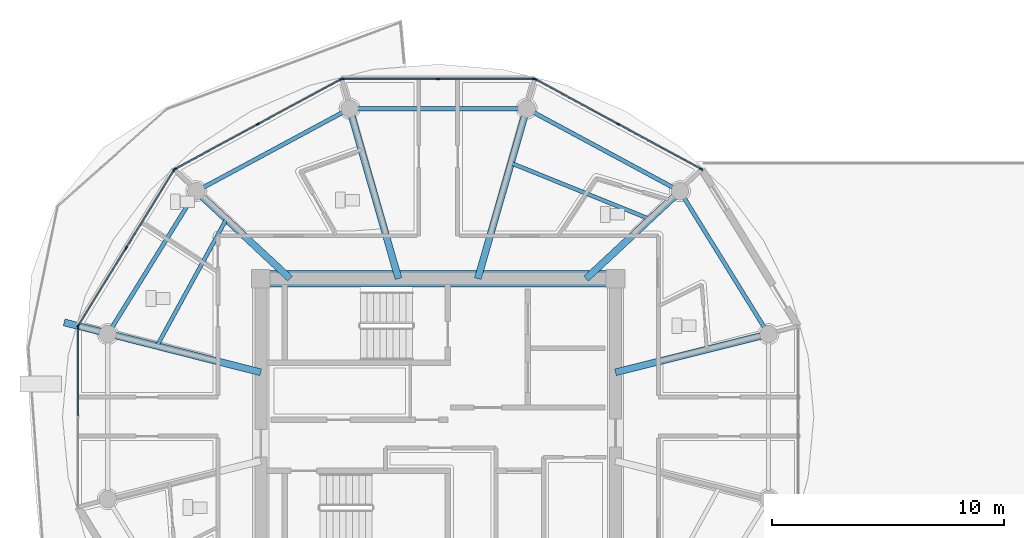
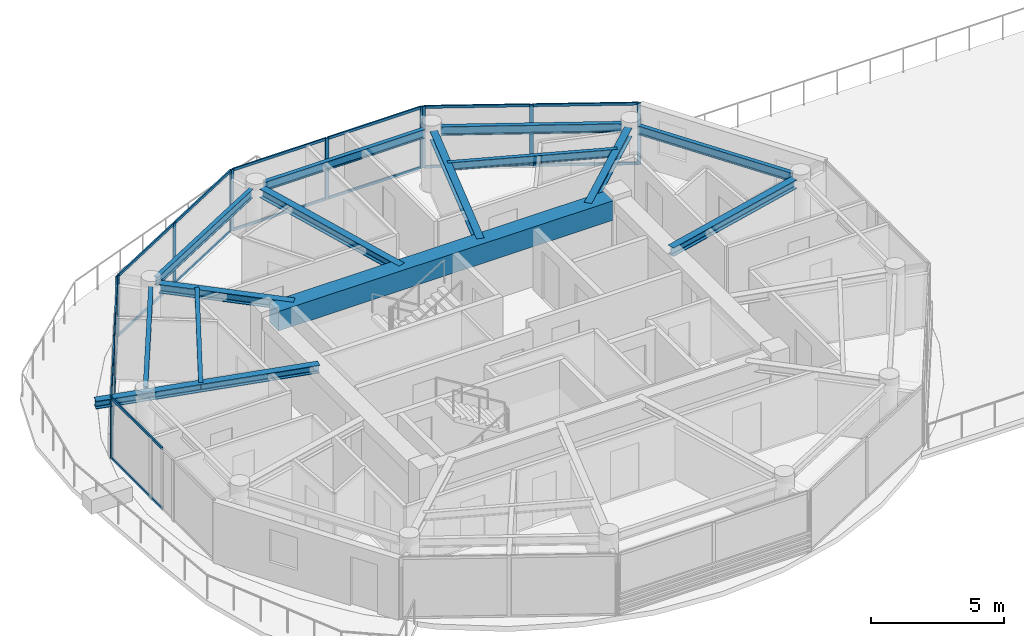
# One storey, part 4 of 30: 31 members, 14 beams, 5 elements without a shape of their own.
"""IFC4 building model written with IfcOpenShell, lengths in metres."""

from ifc_helpers import new_model, si_unit, direction, frame, origin, origin_2d, place, context, subcontext, project, spatial, rectangle, i_section, extrude, source, transform, mapped, material, layer, layer_set, material_profile, profile_set, type_object, type_shapes, element, aggregate, save


model = new_model("IFC4")

# Units and contexts
model_context = context("Model", 3, precision=1e-05, world=origin(), true_north=direction((0.0, 1.0)))
body_context = subcontext(model_context, "Body", "Model", "MODEL_VIEW")
ifc_project = project(units=[si_unit("LENGTHUNIT", "METRE"), si_unit("AREAUNIT", "SQUARE_METRE"), si_unit("VOLUMEUNIT", "CUBIC_METRE"), si_unit("PLANEANGLEUNIT", "RADIAN"), si_unit("MASSUNIT", "GRAM", prefix="KILO")], contexts=[model_context])

# Site, building, storey
site_placement = place(None, origin())
site = spatial("IfcSite", under=ifc_project, at=site_placement, CompositionType="ELEMENT")
building_placement = place(site_placement, origin())
building = spatial("IfcBuilding", under=site, at=building_placement, Name="Norrkilde Senior Care Towers", CompositionType="ELEMENT")
storey_placement = place(building_placement, frame((0.0, 0.0, 232.199951171875)))
storey = spatial("IfcBuildingStorey", under=building, at=storey_placement, Name="L72", CompositionType="ELEMENT", Elevation=232.199951171875)

# Beams
ifc_material_1 = material(Name="Concrete C60/75", Category="concrete")
ifc_material_profile_1 = material_profile(ifc_material_1, rectangle(XDim=0.699951171875, YDim=0.89990234375, at=origin_2d()), Name="RC BM 700x900")
ifc_profile_set_1 = profile_set([ifc_material_profile_1], Name="Concrete C60/75")
beam_type_1 = type_object("IfcBeamType", Name="Core Coupling Girder 700x900", PredefinedType="USERDEFINED", material=ifc_profile_set_1)
shared_shape_1 = source(origin(), body_context, "Body", "SweptSolid", [
    extrude(rectangle(XDim=0.699951171875, YDim=0.89990234375, at=origin_2d()), origin(), (0.0, 0.0, 1.0), 14.5400390625),
])
type_shapes(beam_type_1, [shared_shape_1])
beam_1_placement = place(storey_placement, frame((-35.27001953125, 5.949951171875, 2.360107421875), z_axis=(1.0, 0.0, 0.0), x_axis=(0.0, 1.0, 0.0)))
element("IfcBeam", 1, at=beam_1_placement, inside=storey, type_object=beam_type_1, Name="L72 Core W N Coupling Girder", ObjectType="GIRDER", PredefinedType="USERDEFINED", context=body_context, shape_type="MappedRepresentation", body=[
    mapped(shared_shape_1, transform((0.0, 0.0, 0.0), x_axis=(1.0, 0.0, 0.0), y_axis=(0.0, 1.0, 0.0), z_axis=(0.0, 0.0, 1.0), scale=1.0)),
])
ifc_material_2 = material(Name="Steel S355", Category="steel")
ifc_material_profile_2 = material_profile(ifc_material_2, i_section(OverallWidth=0.179931640625, OverallDepth=0.39990234375, WebThickness=0.008544921875, FlangeThickness=0.013427734375, FilletRadius=0.02099609375, at=origin_2d()), Name="IPE 400")
ifc_profile_set_2 = profile_set([ifc_material_profile_2], Name="Steel S355")
beam_type_2 = type_object("IfcBeamType", Name="Perimeter Ring Spandrel Z4 IPE400", PredefinedType="SPANDREL", material=ifc_profile_set_2)
shared_shape_2 = source(origin(), body_context, "Body", "SweptSolid", [
    extrude(i_section(OverallWidth=0.179931640625, OverallDepth=0.39990234375, WebThickness=0.008544921875, FlangeThickness=0.013427734375, FilletRadius=0.02099609375, at=origin_2d()), origin(), (0.0, 0.0, 1.0), 6.58056640625),
])
for number, where, z_axis, x_axis, name in (
    (2, (-13.928955078125, 3.843505859375, 2.610107421875), (-0.526529583789, 0.850156807533, 0.0), (-0.850156807533, -0.526529583789, 0.0), "L72 Drum W Perimeter Spandrel 01"),
    (3, (-38.606201171875, 9.43798828125, 2.610107421875), (-0.526529583789, -0.850156807533, 0.0), (0.850156807533, -0.526529583789, 0.0), "L72 Drum W Perimeter Spandrel 05"),
):
    element("IfcBeam", number, at=place(storey_placement, frame(where, z_axis=z_axis, x_axis=x_axis)), inside=storey, type_object=beam_type_2, Name=name, PredefinedType="SPANDREL", context=body_context, shape_type="MappedRepresentation", body=[
        mapped(shared_shape_2, transform((0.0, 0.0, 0.0), x_axis=(1.0, 0.0, 0.0), y_axis=(0.0, 1.0, 0.0), z_axis=(0.0, 0.0, 1.0), scale=1.0)),
    ])
ifc_material_profile_3 = material_profile(ifc_material_2, i_section(OverallWidth=0.300048828125, OverallDepth=0.39990234375, WebThickness=0.013427734375, FlangeThickness=0.02392578125, FilletRadius=0.027099609375, at=origin_2d()), Name="HEB 400")
ifc_profile_set_3 = profile_set([ifc_material_profile_3], Name="Steel S355")
beam_type_3 = type_object("IfcBeamType", Name="Radial Floor Beam Z4 HEB400", PredefinedType="BEAM", material=ifc_profile_set_3)
shared_shape_3 = source(origin(), body_context, "Body", "SweptSolid", [
    extrude(i_section(OverallWidth=0.300048828125, OverallDepth=0.39990234375, WebThickness=0.013427734375, FlangeThickness=0.02392578125, FilletRadius=0.027099609375, at=origin_2d()), origin(), (0.0, 0.0, 1.0), 6.465087890625),
])
beam_2_placement = place(storey_placement, frame((-20.35009765625, 1.910888671875, 2.610107421875), z_axis=(0.970195788563, 0.242322371758, 0.0), x_axis=(-0.242322371758, 0.970195788563, 0.0)))
element("IfcBeam", 4, at=beam_2_placement, inside=storey, type_object=beam_type_3, Name="L72 Drum W Radial Floor Beam 01", PredefinedType="BEAM", context=body_context, shape_type="MappedRepresentation", body=[
    mapped(shared_shape_3, transform((0.0, 0.0, 0.0), x_axis=(1.0, 0.0, 0.0), y_axis=(0.0, 1.0, 0.0), z_axis=(0.0, 0.0, 1.0), scale=1.0)),
])
shared_shape_4 = source(origin(), body_context, "Body", "SweptSolid", [
    extrude(i_section(OverallWidth=0.179931640625, OverallDepth=0.39990234375, WebThickness=0.008544921875, FlangeThickness=0.013427734375, FilletRadius=0.02099609375, at=origin_2d()), origin(), (0.0, 0.0, 1.0), 6.839111328125),
])
for number, where, z_axis, x_axis, name in (
    (5, (-17.865234375, 9.881591796875, 2.610107421875), (-0.880563930732, 0.473927382511, 0.0), (-0.473927382511, -0.880563930732, 0.0), "L72 Drum W Perimeter Spandrel 02"),
    (6, (-32.112548828125, 13.122802734375, 2.610107421875), (-0.880563930732, -0.473927382511, 0.0), (0.473927382511, -0.880563930732, 0.0), "L72 Drum W Perimeter Spandrel 04"),
):
    element("IfcBeam", number, at=place(storey_placement, frame(where, z_axis=z_axis, x_axis=x_axis)), inside=storey, type_object=beam_type_2, Name=name, PredefinedType="SPANDREL", context=body_context, shape_type="MappedRepresentation", body=[
        mapped(shared_shape_4, transform((0.0, 0.0, 0.0), x_axis=(1.0, 0.0, 0.0), y_axis=(0.0, 1.0, 0.0), z_axis=(0.0, 0.0, 1.0), scale=1.0)),
    ])
shared_shape_5 = source(origin(), body_context, "Body", "SweptSolid", [
    extrude(i_section(OverallWidth=0.300048828125, OverallDepth=0.39990234375, WebThickness=0.013427734375, FlangeThickness=0.02392578125, FilletRadius=0.027099609375, at=origin_2d()), origin(), (0.0, 0.0, 1.0), 5.197998046875),
])
for number, where, z_axis, x_axis, name in (
    (7, (-21.6171875, 5.949951171875, 2.610107421875), (0.731448749334, 0.681896419625, 0.0), (-0.681896419625, 0.731448749334, 0.0), "L72 Drum W Radial Floor Beam 02"),
    (8, (-34.3828125, 5.949951171875, 2.610107421875), (-0.731448749334, 0.681896419625, 0.0), (-0.681896419625, -0.731448749334, 0.0), "L72 Drum W Radial Floor Beam 05"),
):
    element("IfcBeam", number, at=place(storey_placement, frame(where, z_axis=z_axis, x_axis=x_axis)), inside=storey, type_object=beam_type_3, Name=name, PredefinedType="BEAM", context=body_context, shape_type="MappedRepresentation", body=[
        mapped(shared_shape_5, transform((0.0, 0.0, 0.0), x_axis=(1.0, 0.0, 0.0), y_axis=(0.0, 1.0, 0.0), z_axis=(0.0, 0.0, 1.0), scale=1.0)),
    ])
shared_shape_6 = source(origin(), body_context, "Body", "SweptSolid", [
    extrude(i_section(OverallWidth=0.179931640625, OverallDepth=0.39990234375, WebThickness=0.008544921875, FlangeThickness=0.013427734375, FilletRadius=0.02099609375, at=origin_2d()), origin(), (0.0, 0.0, 1.0), 6.96533203125),
])
type_shapes(beam_type_2, [shared_shape_2, shared_shape_4, shared_shape_6])
beam_3_placement = place(storey_placement, frame((-24.517333984375, 13.281494140625, 2.610107421875), z_axis=(-1.0, 0.0, 0.0), x_axis=(0.0, -1.0, 0.0)))
element("IfcBeam", 9, at=beam_3_placement, inside=storey, type_object=beam_type_2, Name="L72 Drum W Perimeter Spandrel 03", PredefinedType="SPANDREL", context=body_context, shape_type="MappedRepresentation", body=[
    mapped(shared_shape_6, transform((0.0, 0.0, 0.0), x_axis=(1.0, 0.0, 0.0), y_axis=(0.0, 1.0, 0.0), z_axis=(0.0, 0.0, 1.0), scale=1.0)),
])
shared_shape_7 = source(origin(), body_context, "Body", "SweptSolid", [
    extrude(i_section(OverallWidth=0.300048828125, OverallDepth=0.39990234375, WebThickness=0.013427734375, FlangeThickness=0.02392578125, FilletRadius=0.027099609375, at=origin_2d()), origin(), (0.0, 0.0, 1.0), 7.29345703125),
])
type_shapes(beam_type_3, [shared_shape_3, shared_shape_5, shared_shape_7])
for number, where, z_axis, x_axis, name in (
    (10, (-26.289794921875, 5.949951171875, 2.610107421875), (0.276263751906, 0.961081858836, 0.0), (-0.961081858836, 0.276263751906, 0.0), "L72 Drum W Radial Floor Beam 03"),
    (11, (-29.710205078125, 5.949951171875, 2.610107421875), (-0.276263751906, 0.961081858836, 0.0), (-0.961081858836, -0.276263751906, 0.0), "L72 Drum W Radial Floor Beam 04"),
):
    element("IfcBeam", number, at=place(storey_placement, frame(where, z_axis=z_axis, x_axis=x_axis)), inside=storey, type_object=beam_type_3, Name=name, PredefinedType="BEAM", context=body_context, shape_type="MappedRepresentation", body=[
        mapped(shared_shape_7, transform((0.0, 0.0, 0.0), x_axis=(1.0, 0.0, 0.0), y_axis=(0.0, 1.0, 0.0), z_axis=(0.0, 0.0, 1.0), scale=1.0)),
    ])
ifc_material_profile_4 = material_profile(ifc_material_2, i_section(OverallWidth=0.169921875, OverallDepth=0.360107421875, WebThickness=0.008056640625, FlangeThickness=0.0126953125, FilletRadius=0.01806640625, at=origin_2d()), Name="IPE 360")
ifc_profile_set_4 = profile_set([ifc_material_profile_4], Name="Steel S355")
beam_type_4 = type_object("IfcBeamType", Name="Secondary Floor Joist IPE360", PredefinedType="JOIST", material=ifc_profile_set_4)
shared_shape_8 = source(origin(), body_context, "Body", "SweptSolid", [
    extrude(i_section(OverallWidth=0.169921875, OverallDepth=0.360107421875, WebThickness=0.008056640625, FlangeThickness=0.0126953125, FilletRadius=0.01806640625, at=origin_2d()), origin(), (0.0, 0.0, 1.0), 6.461669921875),
])
beam_4_placement = place(storey_placement, frame((-18.865234375, 8.515380859375, 2.630126953125), z_axis=(-0.927225942298, 0.374502405772, 0.0), x_axis=(-0.374502405772, -0.927225942298, 0.0)))
element("IfcBeam", 12, at=beam_4_placement, inside=storey, type_object=beam_type_4, Name="L72 Drum W Secondary Floor Joist 1", PredefinedType="JOIST", context=body_context, shape_type="MappedRepresentation", body=[
    mapped(shared_shape_8, transform((0.0, 0.0, 0.0), x_axis=(1.0, 0.0, 0.0), y_axis=(0.0, 1.0, 0.0), z_axis=(0.0, 0.0, 1.0), scale=1.0)),
])
shared_shape_9 = source(origin(), body_context, "Body", "SweptSolid", [
    extrude(i_section(OverallWidth=0.169921875, OverallDepth=0.360107421875, WebThickness=0.008056640625, FlangeThickness=0.0126953125, FilletRadius=0.01806640625, at=origin_2d()), origin(), (0.0, 0.0, 1.0), 6.25146484375),
])
type_shapes(beam_type_4, [shared_shape_8, shared_shape_9])
beam_5_placement = place(storey_placement, frame((-37.134765625, 8.515380859375, 2.630126953125), z_axis=(-0.480115752653, -0.877205143655, 0.0), x_axis=(0.877205143655, -0.480115752653, 0.0)))
element("IfcBeam", 13, at=beam_5_placement, inside=storey, type_object=beam_type_4, Name="L72 Drum W Secondary Floor Joist 2", PredefinedType="JOIST", context=body_context, shape_type="MappedRepresentation", body=[
    mapped(shared_shape_9, transform((0.0, 0.0, 0.0), x_axis=(1.0, 0.0, 0.0), y_axis=(0.0, 1.0, 0.0), z_axis=(0.0, 0.0, 1.0), scale=1.0)),
])
ifc_material_profile_5 = material_profile(ifc_material_2, i_section(OverallWidth=0.300048828125, OverallDepth=0.360107421875, WebThickness=0.012451171875, FlangeThickness=0.0224609375, FilletRadius=0.027099609375, at=origin_2d()), Name="HEB 360")
ifc_profile_set_5 = profile_set([ifc_material_profile_5], Name="Steel S355")
beam_type_5 = type_object("IfcBeamType", Name="Balcony Crest Cantilever Rib HEB360", PredefinedType="BEAM", material=ifc_profile_set_5)
shared_shape_10 = source(origin(), body_context, "Body", "SweptSolid", [
    extrude(i_section(OverallWidth=0.300048828125, OverallDepth=0.360107421875, WebThickness=0.012451171875, FlangeThickness=0.0224609375, FilletRadius=0.027099609375, at=origin_2d()), origin(), (0.0, 0.0, 1.0), 8.749755859375),
])
type_shapes(beam_type_5, [shared_shape_10])
beam_6_placement = place(storey_placement, frame((-35.64990234375, 1.910888671875, 2.630126953125), z_axis=(-0.969266368231, 0.246013632584, 0.0), x_axis=(-0.246013632584, -0.969266368231, 0.0)))
element("IfcBeam", 14, at=beam_6_placement, inside=storey, type_object=beam_type_5, Name="L72 Drum W Balcony Cantilever Rib", PredefinedType="BEAM", context=body_context, shape_type="MappedRepresentation", body=[
    mapped(shared_shape_10, transform((0.0, 0.0, 0.0), x_axis=(1.0, 0.0, 0.0), y_axis=(0.0, 1.0, 0.0), z_axis=(0.0, 0.0, 1.0), scale=1.0)),
])

# Curtain wall, members
ifc_material_3 = material(Name="Triple Low-E Insulated Glazing", Category="glass")
ifc_layer = layer(ifc_material_3, 0.18505859375)
ifc_layer_set = layer_set([ifc_layer], Name="Triple Low-E Insulated Glazing")
curtain_wall_type = type_object("IfcCurtainWallType", Name="CW6 Zone 4 Crown Pavilion Curtain Wall", PredefinedType="NOTDEFINED", material=ifc_layer_set)
curtain_wall_1_placement = place(storey_placement, origin())
curtain_wall_1 = element("IfcCurtainWall", 15, at=curtain_wall_1_placement, inside=storey, type_object=curtain_wall_type, Name="L72 Drum W Curtain Wall 01", PredefinedType="NOTDEFINED")
ifc_material_4 = material(Name="Anodised Aluminium", Category="aluminium")
ifc_material_profile_6 = material_profile(ifc_material_4, rectangle(XDim=0.06494140625, YDim=0.14990234375, at=origin_2d()), Name="ALU MULL 65x150")
ifc_profile_set_6 = profile_set([ifc_material_profile_6], Name="Anodised Aluminium")
member_type_1 = type_object("IfcMemberType", Name="Curtain Wall Mullion Z3-Z4 65x150", PredefinedType="MULLION", material=ifc_profile_set_6)
shared_shape_11 = source(origin(), body_context, "Body", "SweptSolid", [
    extrude(rectangle(XDim=0.06494140625, YDim=0.14990234375, at=origin_2d()), origin(), (0.0, 0.0, 1.0), 2.81005859375),
])
type_shapes(member_type_1, [shared_shape_11])
member_1_placement = place(storey_placement, frame((-23.8095703125, 14.55078125, 0.0), z_axis=(0.0, 0.0, 1.0), x_axis=(0.476132676136, 0.879373455772, 0.0)))
member_1 = element("IfcMember", 16, at=member_1_placement, type_object=member_type_1, Name="CW-6 mullion 1", PredefinedType="MULLION", context=body_context, shape_type="MappedRepresentation", body=[
    mapped(shared_shape_11, transform((0.0, 0.0, 0.0), x_axis=(1.0, 0.0, 0.0), y_axis=(0.0, 1.0, 0.0), z_axis=(0.0, 0.0, 1.0), scale=1.0)),
])
member_2_placement = place(storey_placement, frame((-20.23388671875, 12.61474609375, 0.0), z_axis=(0.0, 0.0, 1.0), x_axis=(0.476132676136, 0.879373455772, 0.0)))
member_2 = element("IfcMember", 17, at=member_2_placement, type_object=member_type_1, Name="CW-6 mullion 2", PredefinedType="MULLION", context=body_context, shape_type="MappedRepresentation", body=[
    mapped(shared_shape_11, transform((0.0, 0.0, 0.0), x_axis=(1.0, 0.0, 0.0), y_axis=(0.0, 1.0, 0.0), z_axis=(0.0, 0.0, 1.0), scale=1.0)),
])
member_3_placement = place(storey_placement, frame((-16.658203125, 10.6787109375, 0.0), z_axis=(0.0, 0.0, 1.0), x_axis=(0.476132676136, 0.879373455772, 0.0)))
member_3 = element("IfcMember", 18, at=member_3_placement, type_object=member_type_1, Name="CW-6 mullion 3", PredefinedType="MULLION", context=body_context, shape_type="MappedRepresentation", body=[
    mapped(shared_shape_11, transform((0.0, 0.0, 0.0), x_axis=(1.0, 0.0, 0.0), y_axis=(0.0, 1.0, 0.0), z_axis=(0.0, 0.0, 1.0), scale=1.0)),
])

curtain_wall_2_placement = place(storey_placement, origin())
curtain_wall_2 = element("IfcCurtainWall", 19, at=curtain_wall_2_placement, inside=storey, type_object=curtain_wall_type, Name="L72 Drum W Curtain Wall 02", PredefinedType="NOTDEFINED")
member_4_placement = place(storey_placement, frame((-32.12939453125, 14.566162109375, 0.0), z_axis=(0.0, 0.0, 1.0), x_axis=(0.0, 1.0, 0.0)))
member_4 = element("IfcMember", 20, at=member_4_placement, type_object=member_type_1, Name="CW-6 mullion 1", PredefinedType="MULLION", context=body_context, shape_type="MappedRepresentation", body=[
    mapped(shared_shape_11, transform((0.0, 0.0, 0.0), x_axis=(1.0, 0.0, 0.0), y_axis=(0.0, 1.0, 0.0), z_axis=(0.0, 0.0, 1.0), scale=1.0)),
])
member_5_placement = place(storey_placement, frame((-28.0, 14.566162109375, 0.0), z_axis=(0.0, 0.0, 1.0), x_axis=(0.0, 1.0, 0.0)))
member_5 = element("IfcMember", 21, at=member_5_placement, type_object=member_type_1, Name="CW-6 mullion 2", PredefinedType="MULLION", context=body_context, shape_type="MappedRepresentation", body=[
    mapped(shared_shape_11, transform((0.0, 0.0, 0.0), x_axis=(1.0, 0.0, 0.0), y_axis=(0.0, 1.0, 0.0), z_axis=(0.0, 0.0, 1.0), scale=1.0)),
])
member_6_placement = place(storey_placement, frame((-23.87060546875, 14.566162109375, 0.0), z_axis=(0.0, 0.0, 1.0), x_axis=(0.0, 1.0, 0.0)))
member_6 = element("IfcMember", 22, at=member_6_placement, type_object=member_type_1, Name="CW-6 mullion 3", PredefinedType="MULLION", context=body_context, shape_type="MappedRepresentation", body=[
    mapped(shared_shape_11, transform((0.0, 0.0, 0.0), x_axis=(1.0, 0.0, 0.0), y_axis=(0.0, 1.0, 0.0), z_axis=(0.0, 0.0, 1.0), scale=1.0)),
])

curtain_wall_3_placement = place(storey_placement, origin())
curtain_wall_3 = element("IfcCurtainWall", 23, at=curtain_wall_3_placement, inside=storey, type_object=curtain_wall_type, Name="L72 Drum W Curtain Wall 03", PredefinedType="NOTDEFINED")
member_7_placement = place(storey_placement, frame((-39.341796875, 10.6787109375, 0.0), z_axis=(0.0, 0.0, 1.0), x_axis=(-0.476132676136, 0.879373455772, 0.0)))
member_7 = element("IfcMember", 24, at=member_7_placement, type_object=member_type_1, Name="CW-6 mullion 1", PredefinedType="MULLION", context=body_context, shape_type="MappedRepresentation", body=[
    mapped(shared_shape_11, transform((0.0, 0.0, 0.0), x_axis=(1.0, 0.0, 0.0), y_axis=(0.0, 1.0, 0.0), z_axis=(0.0, 0.0, 1.0), scale=1.0)),
])
member_8_placement = place(storey_placement, frame((-35.76611328125, 12.61474609375, 0.0), z_axis=(0.0, 0.0, 1.0), x_axis=(-0.476132676136, 0.879373455772, 0.0)))
member_8 = element("IfcMember", 25, at=member_8_placement, type_object=member_type_1, Name="CW-6 mullion 2", PredefinedType="MULLION", context=body_context, shape_type="MappedRepresentation", body=[
    mapped(shared_shape_11, transform((0.0, 0.0, 0.0), x_axis=(1.0, 0.0, 0.0), y_axis=(0.0, 1.0, 0.0), z_axis=(0.0, 0.0, 1.0), scale=1.0)),
])
member_9_placement = place(storey_placement, frame((-32.1904296875, 14.55078125, 0.0), z_axis=(0.0, 0.0, 1.0), x_axis=(-0.476132676136, 0.879373455772, 0.0)))
member_9 = element("IfcMember", 26, at=member_9_placement, type_object=member_type_1, Name="CW-6 mullion 3", PredefinedType="MULLION", context=body_context, shape_type="MappedRepresentation", body=[
    mapped(shared_shape_11, transform((0.0, 0.0, 0.0), x_axis=(1.0, 0.0, 0.0), y_axis=(0.0, 1.0, 0.0), z_axis=(0.0, 0.0, 1.0), scale=1.0)),
])

curtain_wall_4_placement = place(storey_placement, origin())
curtain_wall_4 = element("IfcCurtainWall", 27, at=curtain_wall_4_placement, inside=storey, type_object=curtain_wall_type, Name="L72 Drum W Curtain Wall 04", PredefinedType="NOTDEFINED")
member_10_placement = place(storey_placement, frame((-43.51513671875, 3.9306640625, 0.0), z_axis=(0.0, 0.0, 1.0), x_axis=(-0.851562727283, 0.524252726748, 0.0)))
member_10 = element("IfcMember", 28, at=member_10_placement, type_object=member_type_1, Name="CW-6 mullion 1", PredefinedType="MULLION", context=body_context, shape_type="MappedRepresentation", body=[
    mapped(shared_shape_11, transform((0.0, 0.0, 0.0), x_axis=(1.0, 0.0, 0.0), y_axis=(0.0, 1.0, 0.0), z_axis=(0.0, 0.0, 1.0), scale=1.0)),
])
member_11_placement = place(storey_placement, frame((-41.451171875, 7.282958984375, 0.0), z_axis=(0.0, 0.0, 1.0), x_axis=(-0.851562727283, 0.524252726748, 0.0)))
member_11 = element("IfcMember", 29, at=member_11_placement, type_object=member_type_1, Name="CW-6 mullion 2", PredefinedType="MULLION", context=body_context, shape_type="MappedRepresentation", body=[
    mapped(shared_shape_11, transform((0.0, 0.0, 0.0), x_axis=(1.0, 0.0, 0.0), y_axis=(0.0, 1.0, 0.0), z_axis=(0.0, 0.0, 1.0), scale=1.0)),
])
member_12_placement = place(storey_placement, frame((-39.38720703125, 10.635498046875, 0.0), z_axis=(0.0, 0.0, 1.0), x_axis=(-0.851562727283, 0.524252726748, 0.0)))
member_12 = element("IfcMember", 30, at=member_12_placement, type_object=member_type_1, Name="CW-6 mullion 3", PredefinedType="MULLION", context=body_context, shape_type="MappedRepresentation", body=[
    mapped(shared_shape_11, transform((0.0, 0.0, 0.0), x_axis=(1.0, 0.0, 0.0), y_axis=(0.0, 1.0, 0.0), z_axis=(0.0, 0.0, 1.0), scale=1.0)),
])

# Curtain wall, member
curtain_wall_5_placement = place(storey_placement, origin())
curtain_wall_5 = element("IfcCurtainWall", 31, at=curtain_wall_5_placement, inside=storey, type_object=curtain_wall_type, Name="L72 Drum W Curtain Wall 05", PredefinedType="NOTDEFINED")
member_13_placement = place(storey_placement, frame((-43.531982421875, 3.87060546875, 0.0), z_axis=(0.0, 0.0, 1.0), x_axis=(-1.0, 0.0, 0.0)))
member_13 = element("IfcMember", 32, at=member_13_placement, type_object=member_type_1, Name="CW-6 mullion 3", PredefinedType="MULLION", context=body_context, shape_type="MappedRepresentation", body=[
    mapped(shared_shape_11, transform((0.0, 0.0, 0.0), x_axis=(1.0, 0.0, 0.0), y_axis=(0.0, 1.0, 0.0), z_axis=(0.0, 0.0, 1.0), scale=1.0)),
])

# Member
ifc_material_profile_7 = material_profile(ifc_material_4, rectangle(XDim=0.06005859375, YDim=0.1201171875, at=origin_2d()), Name="ALU TRAN 60x120")
ifc_profile_set_7 = profile_set([ifc_material_profile_7], Name="Anodised Aluminium")
member_type_2 = type_object("IfcMemberType", Name="Curtain Wall Transom Typical 60x120", PredefinedType="USERDEFINED", material=ifc_profile_set_7)
shared_shape_12 = source(origin(), body_context, "Body", "SweptSolid", [
    extrude(rectangle(XDim=0.06005859375, YDim=0.1201171875, at=origin_2d()), origin(), (0.0, 0.0, 1.0), 4.001220703125),
])
member_14_placement = place(storey_placement, frame((-23.781005859375, 14.53515625, 0.030029296875), z_axis=(0.879381388479, -0.476118024861, 0.0), x_axis=(0.476118024861, 0.879381388479, 0.0)))
member_14 = element("IfcMember", 33, at=member_14_placement, type_object=member_type_2, Name="CW-6 transom 1.1", ObjectType="TRANSOM", PredefinedType="USERDEFINED", context=body_context, shape_type="MappedRepresentation", body=[
    mapped(shared_shape_12, transform((0.0, 0.0, 0.0), x_axis=(1.0, 0.0, 0.0), y_axis=(0.0, 1.0, 0.0), z_axis=(0.0, 0.0, 1.0), scale=1.0)),
])

member_15_placement = place(storey_placement, frame((-23.781005859375, 14.53515625, 2.780029296875), z_axis=(0.879381388479, -0.476118024861, 0.0), x_axis=(0.476118024861, 0.879381388479, 0.0)))
member_15 = element("IfcMember", 34, at=member_15_placement, type_object=member_type_2, Name="CW-6 transom 1.2", ObjectType="TRANSOM", PredefinedType="USERDEFINED", context=body_context, shape_type="MappedRepresentation", body=[
    mapped(shared_shape_12, transform((0.0, 0.0, 0.0), x_axis=(1.0, 0.0, 0.0), y_axis=(0.0, 1.0, 0.0), z_axis=(0.0, 0.0, 1.0), scale=1.0)),
])

member_16_placement = place(storey_placement, frame((-20.205322265625, 12.59912109375, 0.030029296875), z_axis=(0.879381388479, -0.476118024861, 0.0), x_axis=(0.476118024861, 0.879381388479, 0.0)))
member_16 = element("IfcMember", 35, at=member_16_placement, type_object=member_type_2, Name="CW-6 transom 2.1", ObjectType="TRANSOM", PredefinedType="USERDEFINED", context=body_context, shape_type="MappedRepresentation", body=[
    mapped(shared_shape_12, transform((0.0, 0.0, 0.0), x_axis=(1.0, 0.0, 0.0), y_axis=(0.0, 1.0, 0.0), z_axis=(0.0, 0.0, 1.0), scale=1.0)),
])

member_17_placement = place(storey_placement, frame((-20.205322265625, 12.59912109375, 2.780029296875), z_axis=(0.879381388479, -0.476118024861, 0.0), x_axis=(0.476118024861, 0.879381388479, 0.0)))
member_17 = element("IfcMember", 36, at=member_17_placement, type_object=member_type_2, Name="CW-6 transom 2.2", ObjectType="TRANSOM", PredefinedType="USERDEFINED", context=body_context, shape_type="MappedRepresentation", body=[
    mapped(shared_shape_12, transform((0.0, 0.0, 0.0), x_axis=(1.0, 0.0, 0.0), y_axis=(0.0, 1.0, 0.0), z_axis=(0.0, 0.0, 1.0), scale=1.0)),
])

aggregate(curtain_wall_1, [member_1, member_2, member_3, member_14, member_15, member_16, member_17])

member_18_placement = place(storey_placement, frame((-39.313232421875, 10.694091796875, 0.030029296875), z_axis=(0.879381388479, 0.476118024861, 0.0), x_axis=(-0.476118024861, 0.879381388479, 0.0)))
member_18 = element("IfcMember", 37, at=member_18_placement, type_object=member_type_2, Name="CW-6 transom 1.1", ObjectType="TRANSOM", PredefinedType="USERDEFINED", context=body_context, shape_type="MappedRepresentation", body=[
    mapped(shared_shape_12, transform((0.0, 0.0, 0.0), x_axis=(1.0, 0.0, 0.0), y_axis=(0.0, 1.0, 0.0), z_axis=(0.0, 0.0, 1.0), scale=1.0)),
])

member_19_placement = place(storey_placement, frame((-39.313232421875, 10.694091796875, 2.780029296875), z_axis=(0.879381388479, 0.476118024861, 0.0), x_axis=(-0.476118024861, 0.879381388479, 0.0)))
member_19 = element("IfcMember", 38, at=member_19_placement, type_object=member_type_2, Name="CW-6 transom 1.2", ObjectType="TRANSOM", PredefinedType="USERDEFINED", context=body_context, shape_type="MappedRepresentation", body=[
    mapped(shared_shape_12, transform((0.0, 0.0, 0.0), x_axis=(1.0, 0.0, 0.0), y_axis=(0.0, 1.0, 0.0), z_axis=(0.0, 0.0, 1.0), scale=1.0)),
])

member_20_placement = place(storey_placement, frame((-35.737548828125, 12.630126953125, 0.030029296875), z_axis=(0.879381388479, 0.476118024861, 0.0), x_axis=(-0.476118024861, 0.879381388479, 0.0)))
member_20 = element("IfcMember", 39, at=member_20_placement, type_object=member_type_2, Name="CW-6 transom 2.1", ObjectType="TRANSOM", PredefinedType="USERDEFINED", context=body_context, shape_type="MappedRepresentation", body=[
    mapped(shared_shape_12, transform((0.0, 0.0, 0.0), x_axis=(1.0, 0.0, 0.0), y_axis=(0.0, 1.0, 0.0), z_axis=(0.0, 0.0, 1.0), scale=1.0)),
])

member_21_placement = place(storey_placement, frame((-35.737548828125, 12.630126953125, 2.780029296875), z_axis=(0.879381388479, 0.476118024861, 0.0), x_axis=(-0.476118024861, 0.879381388479, 0.0)))
member_21 = element("IfcMember", 40, at=member_21_placement, type_object=member_type_2, Name="CW-6 transom 2.2", ObjectType="TRANSOM", PredefinedType="USERDEFINED", context=body_context, shape_type="MappedRepresentation", body=[
    mapped(shared_shape_12, transform((0.0, 0.0, 0.0), x_axis=(1.0, 0.0, 0.0), y_axis=(0.0, 1.0, 0.0), z_axis=(0.0, 0.0, 1.0), scale=1.0)),
])

aggregate(curtain_wall_3, [member_7, member_8, member_9, member_18, member_19, member_20, member_21])

shared_shape_13 = source(origin(), body_context, "Body", "SweptSolid", [
    extrude(rectangle(XDim=0.06005859375, YDim=0.1201171875, at=origin_2d()), origin(), (0.0, 0.0, 1.0), 4.064453125),
])
member_22_placement = place(storey_placement, frame((-32.096923828125, 14.566162109375, 0.030029296875), z_axis=(1.0, 0.0, 0.0), x_axis=(0.0, 1.0, 0.0)))
member_22 = element("IfcMember", 41, at=member_22_placement, type_object=member_type_2, Name="CW-6 transom 1.1", ObjectType="TRANSOM", PredefinedType="USERDEFINED", context=body_context, shape_type="MappedRepresentation", body=[
    mapped(shared_shape_13, transform((0.0, 0.0, 0.0), x_axis=(1.0, 0.0, 0.0), y_axis=(0.0, 1.0, 0.0), z_axis=(0.0, 0.0, 1.0), scale=1.0)),
])

member_23_placement = place(storey_placement, frame((-32.096923828125, 14.566162109375, 2.780029296875), z_axis=(1.0, 0.0, 0.0), x_axis=(0.0, 1.0, 0.0)))
member_23 = element("IfcMember", 42, at=member_23_placement, type_object=member_type_2, Name="CW-6 transom 1.2", ObjectType="TRANSOM", PredefinedType="USERDEFINED", context=body_context, shape_type="MappedRepresentation", body=[
    mapped(shared_shape_13, transform((0.0, 0.0, 0.0), x_axis=(1.0, 0.0, 0.0), y_axis=(0.0, 1.0, 0.0), z_axis=(0.0, 0.0, 1.0), scale=1.0)),
])

member_24_placement = place(storey_placement, frame((-27.967529296875, 14.566162109375, 0.030029296875), z_axis=(1.0, 0.0, 0.0), x_axis=(0.0, 1.0, 0.0)))
member_24 = element("IfcMember", 43, at=member_24_placement, type_object=member_type_2, Name="CW-6 transom 2.1", ObjectType="TRANSOM", PredefinedType="USERDEFINED", context=body_context, shape_type="MappedRepresentation", body=[
    mapped(shared_shape_13, transform((0.0, 0.0, 0.0), x_axis=(1.0, 0.0, 0.0), y_axis=(0.0, 1.0, 0.0), z_axis=(0.0, 0.0, 1.0), scale=1.0)),
])

member_25_placement = place(storey_placement, frame((-27.967529296875, 14.566162109375, 2.780029296875), z_axis=(1.0, 0.0, 0.0), x_axis=(0.0, 1.0, 0.0)))
member_25 = element("IfcMember", 44, at=member_25_placement, type_object=member_type_2, Name="CW-6 transom 2.2", ObjectType="TRANSOM", PredefinedType="USERDEFINED", context=body_context, shape_type="MappedRepresentation", body=[
    mapped(shared_shape_13, transform((0.0, 0.0, 0.0), x_axis=(1.0, 0.0, 0.0), y_axis=(0.0, 1.0, 0.0), z_axis=(0.0, 0.0, 1.0), scale=1.0)),
])

aggregate(curtain_wall_2, [member_4, member_5, member_6, member_22, member_23, member_24, member_25])

shared_shape_14 = source(origin(), body_context, "Body", "SweptSolid", [
    extrude(rectangle(XDim=0.06005859375, YDim=0.1201171875, at=origin_2d()), origin(), (0.0, 0.0, 1.0), 3.871826171875),
])
member_26_placement = place(storey_placement, frame((-43.498046875, 3.958251953125, 0.030029296875), z_axis=(0.524245179227, 0.851567373763, 0.0), x_axis=(-0.851567373763, 0.524245179227, 0.0)))
member_26 = element("IfcMember", 45, at=member_26_placement, type_object=member_type_2, Name="CW-6 transom 1.1", ObjectType="TRANSOM", PredefinedType="USERDEFINED", context=body_context, shape_type="MappedRepresentation", body=[
    mapped(shared_shape_14, transform((0.0, 0.0, 0.0), x_axis=(1.0, 0.0, 0.0), y_axis=(0.0, 1.0, 0.0), z_axis=(0.0, 0.0, 1.0), scale=1.0)),
])

member_27_placement = place(storey_placement, frame((-43.498046875, 3.958251953125, 2.780029296875), z_axis=(0.524245179227, 0.851567373763, 0.0), x_axis=(-0.851567373763, 0.524245179227, 0.0)))
member_27 = element("IfcMember", 46, at=member_27_placement, type_object=member_type_2, Name="CW-6 transom 1.2", ObjectType="TRANSOM", PredefinedType="USERDEFINED", context=body_context, shape_type="MappedRepresentation", body=[
    mapped(shared_shape_14, transform((0.0, 0.0, 0.0), x_axis=(1.0, 0.0, 0.0), y_axis=(0.0, 1.0, 0.0), z_axis=(0.0, 0.0, 1.0), scale=1.0)),
])

member_28_placement = place(storey_placement, frame((-41.43408203125, 7.310791015625, 0.030029296875), z_axis=(0.524245179227, 0.851567373763, 0.0), x_axis=(-0.851567373763, 0.524245179227, 0.0)))
member_28 = element("IfcMember", 47, at=member_28_placement, type_object=member_type_2, Name="CW-6 transom 2.1", ObjectType="TRANSOM", PredefinedType="USERDEFINED", context=body_context, shape_type="MappedRepresentation", body=[
    mapped(shared_shape_14, transform((0.0, 0.0, 0.0), x_axis=(1.0, 0.0, 0.0), y_axis=(0.0, 1.0, 0.0), z_axis=(0.0, 0.0, 1.0), scale=1.0)),
])

member_29_placement = place(storey_placement, frame((-41.43408203125, 7.310791015625, 2.780029296875), z_axis=(0.524245179227, 0.851567373763, 0.0), x_axis=(-0.851567373763, 0.524245179227, 0.0)))
member_29 = element("IfcMember", 48, at=member_29_placement, type_object=member_type_2, Name="CW-6 transom 2.2", ObjectType="TRANSOM", PredefinedType="USERDEFINED", context=body_context, shape_type="MappedRepresentation", body=[
    mapped(shared_shape_14, transform((0.0, 0.0, 0.0), x_axis=(1.0, 0.0, 0.0), y_axis=(0.0, 1.0, 0.0), z_axis=(0.0, 0.0, 1.0), scale=1.0)),
])

aggregate(curtain_wall_4, [member_10, member_11, member_12, member_26, member_27, member_28, member_29])

shared_shape_15 = source(origin(), body_context, "Body", "SweptSolid", [
    extrude(rectangle(XDim=0.06005859375, YDim=0.1201171875, at=origin_2d()), origin(), (0.0, 0.0, 1.0), 3.805419921875),
])
type_shapes(member_type_2, [shared_shape_12, shared_shape_13, shared_shape_14, shared_shape_15])
member_30_placement = place(storey_placement, frame((-43.531982421875, 0.032470703125, 0.030029296875), z_axis=(0.0, 1.0, 0.0), x_axis=(-1.0, 0.0, 0.0)))
member_30 = element("IfcMember", 49, at=member_30_placement, type_object=member_type_2, Name="CW-6 transom 2.1", ObjectType="TRANSOM", PredefinedType="USERDEFINED", context=body_context, shape_type="MappedRepresentation", body=[
    mapped(shared_shape_15, transform((0.0, 0.0, 0.0), x_axis=(1.0, 0.0, 0.0), y_axis=(0.0, 1.0, 0.0), z_axis=(0.0, 0.0, 1.0), scale=1.0)),
])

member_31_placement = place(storey_placement, frame((-43.531982421875, 0.032470703125, 2.780029296875), z_axis=(0.0, 1.0, 0.0), x_axis=(-1.0, 0.0, 0.0)))
member_31 = element("IfcMember", 50, at=member_31_placement, type_object=member_type_2, Name="CW-6 transom 2.2", ObjectType="TRANSOM", PredefinedType="USERDEFINED", context=body_context, shape_type="MappedRepresentation", body=[
    mapped(shared_shape_15, transform((0.0, 0.0, 0.0), x_axis=(1.0, 0.0, 0.0), y_axis=(0.0, 1.0, 0.0), z_axis=(0.0, 0.0, 1.0), scale=1.0)),
])

aggregate(curtain_wall_5, [member_13, member_30, member_31])

save(model, "model.ifc")
